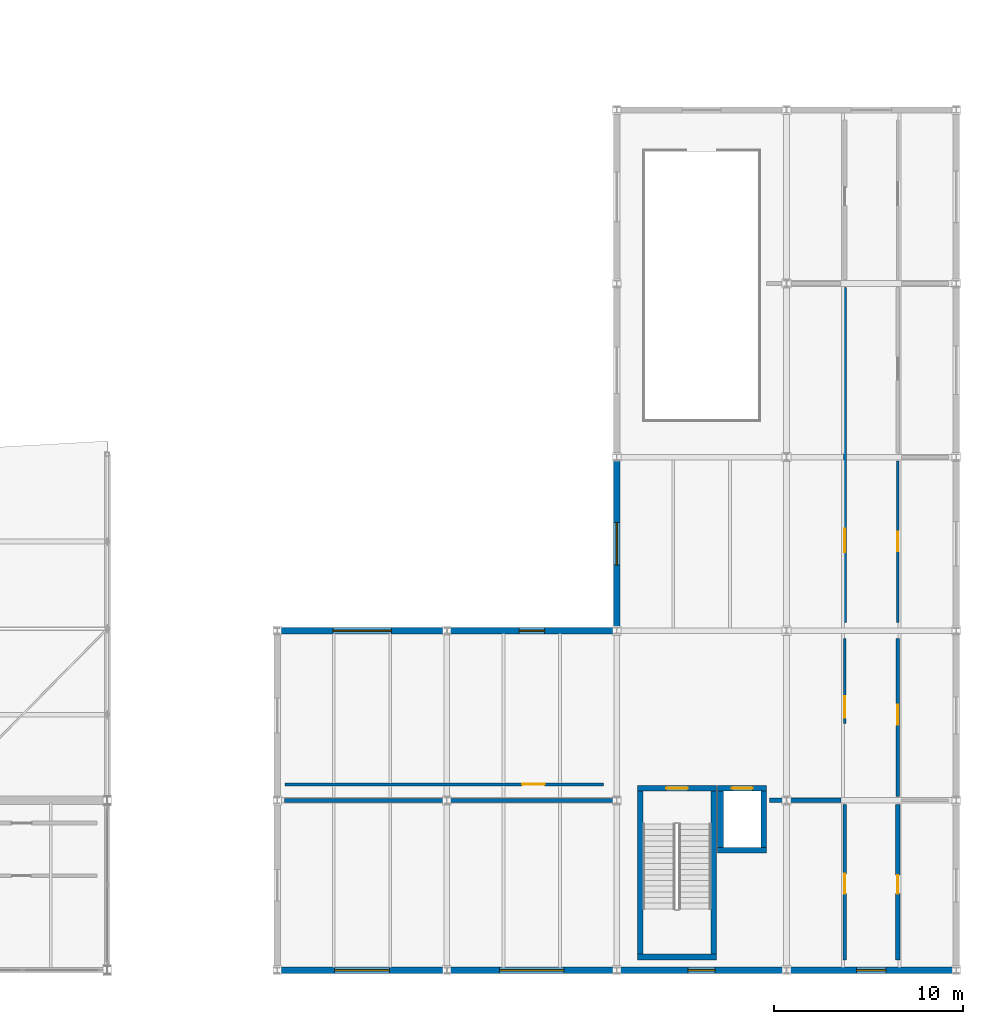
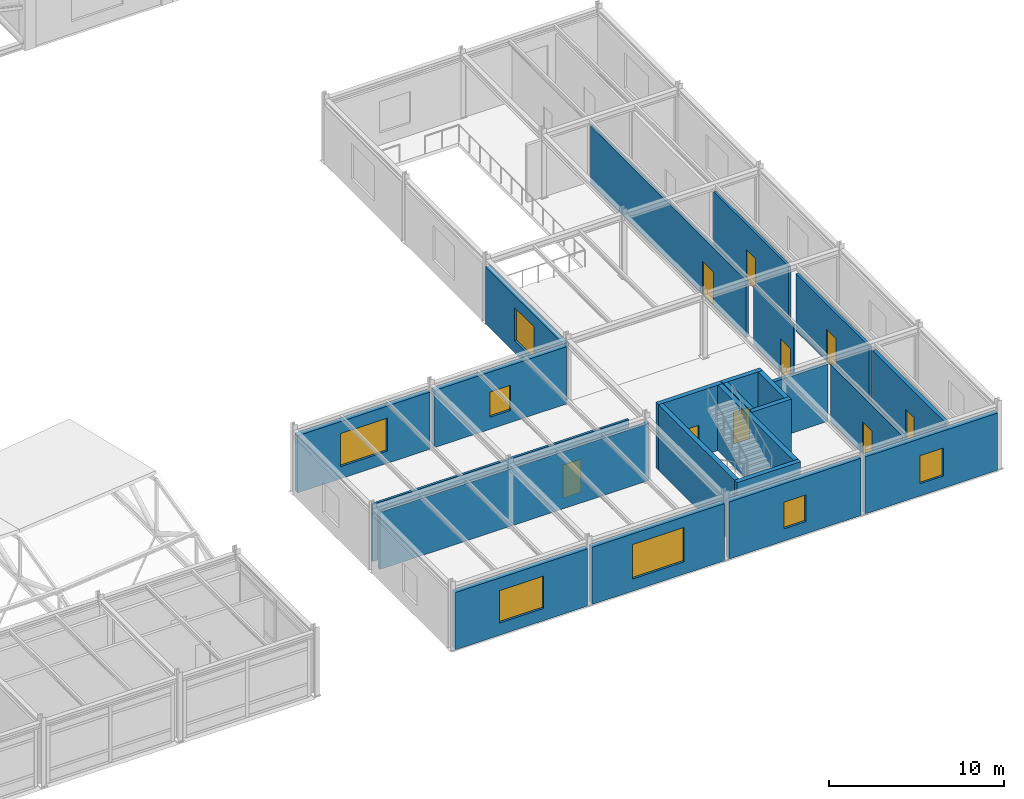
# One storey, part 75 of 90: 24 walls, 9 doors, 7 windows, 16 openings.
"""IFC4 building model written with IfcOpenShell, lengths in metres."""

from ifc_helpers import new_model, si_unit, direction, frame, frame_2d, origin, place, context, subcontext, project, spatial, rectangle, extrude, material, layer, layer_set, type_object, element, fill, save


model = new_model("IFC4")

# Units and contexts
model_context = context("Model", 3, precision=1e-05, world=origin(), true_north=direction((0.0, 1.0)))
body_context = subcontext(model_context, "Body", "Model", "MODEL_VIEW")
ifc_project = project(units=[si_unit("LENGTHUNIT", "METRE"), si_unit("AREAUNIT", "SQUARE_METRE"), si_unit("VOLUMEUNIT", "CUBIC_METRE"), si_unit("PLANEANGLEUNIT", "RADIAN"), si_unit("MASSUNIT", "GRAM", prefix="KILO")], contexts=[model_context])

# Site, building, storey
site_placement = place(None, origin())
site = spatial("IfcSite", under=ifc_project, at=site_placement, CompositionType="ELEMENT")
building_placement = place(site_placement, origin())
building = spatial("IfcBuilding", under=site, at=building_placement, Name="Bozkorgan Art Gallery", CompositionType="ELEMENT")
storey_placement = place(building_placement, frame((0.0, 0.0, 5.39990234375)))
storey = spatial("IfcBuildingStorey", under=building, at=storey_placement, Name="L01", CompositionType="ELEMENT", Elevation=5.39990234375)

# Wall, opening, door
ifc_material_1 = material(Name="Concrete C40/50", Category="concrete")
ifc_layer_1 = layer(ifc_material_1, 0.300048828125, Name="Concrete C40/50")
ifc_layer_set_1 = layer_set([ifc_layer_1], Name="Concrete C40/50")
wall_type_1 = type_object("IfcWallType", Name="IWALL-CW-44", PredefinedType="SHEAR", material=ifc_layer_set_1)
wall_1_placement = place(storey_placement, frame((147.10009765625, 11.64990234375, 0.0), z_axis=(0.0, 0.0, 1.0), x_axis=(1.0, 0.0, 0.0)))
wall_1 = element("IfcWall", 1, at=wall_1_placement, inside=storey, type_object=wall_type_1, Name="CORE4 L01 stair core north shear wall", PredefinedType="SHEAR", context=body_context, shape_type="SweptSolid", body=[
    extrude(rectangle(XDim=4.199951171875, YDim=0.300048828125, at=frame_2d((2.10009765625, 0.0))), origin(), (0.0, 0.0, 1.0), 4.56005859375),
])
opening_1_placement = place(wall_1_placement, frame((2.6748046875, 0.0, 0.0), z_axis=(0.0, 0.0, 1.0), x_axis=(-1.0, 0.0, 0.0)))
opening_1 = element("IfcOpeningElement", 2, at=opening_1_placement, cuts=wall_1, Name="Opening SD-41", PredefinedType="OPENING", context=body_context, shape_type="SweptSolid", body=[
    extrude(rectangle(XDim=1.14990234375, YDim=2.199951171875, at=frame_2d((0.574951171875, 1.10009765625))), frame((0.0, 0.16015625, 0.0), z_axis=(0.0, -1.0, 0.0), x_axis=(1.0, 0.0, 0.0)), (0.0, 0.0, 1.0), 0.320068359375),
])
ifc_material_2 = material(Name="Steel S355J2", Category="steel")
door_type_1 = type_object("IfcDoorType", Name="IDOOR-SD-41", OperationType="NOTDEFINED", PredefinedType="DOOR", material=ifc_material_2)
door_1_placement = place(opening_1_placement, origin())
door_1 = element("IfcDoor", 3, at=door_1_placement, inside=storey, type_object=door_type_1, Name="ST4 L01 Fire Stair Door", OperationType="SINGLE_SWING_RIGHT", OverallHeight=2.199951171875, OverallWidth=1.14990234375, PredefinedType="DOOR", context=body_context, shape_type="SweptSolid", body=[
    extrude(rectangle(XDim=1.14990234375, YDim=2.199951171875, at=frame_2d((0.574951171875, 1.10009765625))), frame((0.0, 0.02490234375, 0.0), z_axis=(0.0, -1.0, 0.0), x_axis=(1.0, 0.0, 0.0)), (0.0, 0.0, 1.0), 0.050048828125),
])
fill(opening_1, door_1)

# Walls
wall_2_placement = place(storey_placement, frame((147.10009765625, 2.699951171875, 0.0), z_axis=(0.0, 0.0, 1.0), x_axis=(1.0, 0.0, 0.0)))
element("IfcWall", 4, at=wall_2_placement, inside=storey, type_object=wall_type_1, Name="CORE4 L01 stair core S shear wall", PredefinedType="SHEAR", context=body_context, shape_type="SweptSolid", body=[
    extrude(rectangle(XDim=4.199951171875, YDim=0.300048828125, at=frame_2d((2.10009765625, 0.0))), origin(), (0.0, 0.0, 1.0), 4.56005859375),
])
for number, where, z_axis, x_axis, name in (
    (5, (147.25, 2.85009765625, 0.0), (0.0, 0.0, 1.0), (0.0, 1.0, 0.0), "CORE4 L01 stair core W shear wall"),
    (6, (151.14990234375, 2.85009765625, 0.0), (0.0, 0.0, 1.0), (0.0, 1.0, 0.0), "CORE4 L01 stair core E shear wall"),
):
    element("IfcWall", number, at=place(storey_placement, frame(where, z_axis=z_axis, x_axis=x_axis)), inside=storey, type_object=wall_type_1, Name=name, PredefinedType="SHEAR", context=body_context, shape_type="SweptSolid", body=[
        extrude(rectangle(XDim=8.64990234375, YDim=0.300048828125, at=frame_2d((4.324951171875, 0.0))), origin(), (0.0, 0.0, 1.0), 4.56005859375),
    ])

# Wall, opening, door
wall_3_placement = place(storey_placement, frame((151.35009765625, 11.64990234375, 0.0), z_axis=(0.0, 0.0, 1.0), x_axis=(1.0, 0.0, 0.0)))
wall_3 = element("IfcWall", 7, at=wall_3_placement, inside=storey, type_object=wall_type_1, Name="PL4 L01 shaft front shear wall", PredefinedType="SHEAR", context=body_context, shape_type="SweptSolid", body=[
    extrude(rectangle(XDim=2.599853515625, YDim=0.300048828125, at=frame_2d((1.2998046875, 0.0))), origin(), (0.0, 0.0, 1.0), 4.56005859375),
])
opening_2_placement = place(wall_3_placement, frame((0.75, 0.0, 0.0)))
opening_2 = element("IfcOpeningElement", 8, at=opening_2_placement, cuts=wall_3, Name="Opening LD-25", PredefinedType="OPENING", context=body_context, shape_type="SweptSolid", body=[
    extrude(rectangle(XDim=1.10009765625, YDim=2.199951171875, at=frame_2d((0.550048828125, 1.10009765625))), frame((0.0, 0.16015625, 0.0), z_axis=(0.0, -1.0, 0.0), x_axis=(1.0, 0.0, 0.0)), (0.0, 0.0, 1.0), 0.320068359375),
])
door_type_2 = type_object("IfcDoorType", Name="IDOOR-LD-25", OperationType="NOTDEFINED", PredefinedType="DOOR", material=ifc_material_2)
door_2_placement = place(opening_2_placement, origin())
door_2 = element("IfcDoor", 9, at=door_2_placement, inside=storey, type_object=door_type_2, Name="LD-PL4-L01 Lift Landing Door", OperationType="SLIDING_TO_LEFT", OverallHeight=2.199951171875, OverallWidth=1.10009765625, PredefinedType="DOOR", context=body_context, shape_type="SweptSolid", body=[
    extrude(rectangle(XDim=1.10009765625, YDim=2.199951171875, at=frame_2d((0.550048828125, 1.10009765625))), frame((0.0, 0.02490234375, 0.0), z_axis=(0.0, -1.0, 0.0), x_axis=(1.0, 0.0, 0.0)), (0.0, 0.0, 1.0), 0.050048828125),
])
fill(opening_2, door_2)

# Walls
wall_4_placement = place(storey_placement, frame((151.35009765625, 8.35009765625, 0.0), z_axis=(0.0, 0.0, 1.0), x_axis=(1.0, 0.0, 0.0)))
element("IfcWall", 10, at=wall_4_placement, inside=storey, type_object=wall_type_1, Name="PL4 L01 shaft S shear wall", PredefinedType="SHEAR", context=body_context, shape_type="SweptSolid", body=[
    extrude(rectangle(XDim=2.599853515625, YDim=0.300048828125, at=frame_2d((1.2998046875, 0.0))), origin(), (0.0, 0.0, 1.0), 4.56005859375),
])
for number, where, z_axis, x_axis, name in (
    (11, (153.800048828125, 8.5, 0.0), (0.0, 0.0, 1.0), (0.0, 1.0, 0.0), "PL4 L01 shaft E shear wall"),
    (12, (151.5, 8.5, 0.0), (0.0, 0.0, 1.0), (0.0, 1.0, 0.0), "PL4 L01 shaft W shear wall"),
):
    element("IfcWall", number, at=place(storey_placement, frame(where, z_axis=z_axis, x_axis=x_axis)), inside=storey, type_object=wall_type_1, Name=name, PredefinedType="SHEAR", context=body_context, shape_type="SweptSolid", body=[
        extrude(rectangle(XDim=3.0, YDim=0.300048828125, at=frame_2d((1.5, 0.0))), origin(), (0.0, 0.0, 1.0), 4.56005859375),
    ])

# Wall, opening, door
ifc_material_3 = material(Name="Acoustic Gypsum & Mineral Wool Partition")
ifc_layer_2 = layer(ifc_material_3, 0.22998046875, Name="Acoustic Gypsum & Mineral Wool Partition")
ifc_layer_set_2 = layer_set([ifc_layer_2], Name="Acoustic Gypsum & Mineral Wool Partition")
wall_type_2 = type_object("IfcWallType", Name="IWALL-PR-08", PredefinedType="PARTITIONING", material=ifc_layer_set_2)
wall_5_placement = place(storey_placement, frame((160.89990234375, 2.5400390625, 0.0), z_axis=(0.0, 0.0, 1.0), x_axis=(0.0, 1.0, 0.0)))
wall_5 = element("IfcWall", 13, at=wall_5_placement, inside=storey, type_object=wall_type_2, Name="V6 L01 acoustic partition wall 371", PredefinedType="PARTITIONING", context=body_context, shape_type="SweptSolid", body=[
    extrude(rectangle(XDim=8.239990234375, YDim=0.22998046875, at=frame_2d((4.1201171875, 0.0))), origin(), (0.0, 0.0, 1.0), 3.985107421875),
])
opening_3_placement = place(wall_5_placement, frame((3.519287109375, 0.0, 0.0)))
opening_3 = element("IfcOpeningElement", 14, at=opening_3_placement, cuts=wall_5, Name="Opening FD-75", PredefinedType="OPENING", context=body_context, shape_type="SweptSolid", body=[
    extrude(rectangle(XDim=0.97998046875, YDim=2.179931640625, at=frame_2d((0.489990234375, 1.08984375))), frame((0.0, 0.125, 0.0), z_axis=(0.0, -1.0, 0.0), x_axis=(1.0, 0.0, 0.0)), (0.0, 0.0, 1.0), 0.25),
])
ifc_material_4 = material(Name="Oiled European Oak Joinery")
door_type_3 = type_object("IfcDoorType", Name="IDOOR-FD-75", OperationType="NOTDEFINED", PredefinedType="DOOR", material=ifc_material_4)
door_3_placement = place(opening_3_placement, origin())
door_3 = element("IfcDoor", 15, at=door_3_placement, inside=storey, type_object=door_type_3, Name="Collection Archive Room Door", OperationType="SINGLE_SWING_LEFT", OverallHeight=2.179931640625, OverallWidth=0.97998046875, PredefinedType="DOOR", context=body_context, shape_type="SweptSolid", body=[
    extrude(rectangle(XDim=0.97998046875, YDim=2.179931640625, at=frame_2d((0.489990234375, 1.08984375))), frame((0.0, 0.02490234375, 0.0), z_axis=(0.0, -1.0, 0.0), x_axis=(1.0, 0.0, 0.0)), (0.0, 0.0, 1.0), 0.050048828125),
])
fill(opening_3, door_3)

ifc_layer_3 = layer(ifc_material_3, 0.169921875, Name="Acoustic Gypsum & Mineral Wool Partition")
ifc_layer_set_3 = layer_set([ifc_layer_3], Name="Acoustic Gypsum & Mineral Wool Partition")
wall_type_3 = type_object("IfcWallType", Name="IWALL-PR-40", PredefinedType="PARTITIONING", material=ifc_layer_set_3)
wall_6_placement = place(storey_placement, frame((158.10009765625, 20.419921875, 0.0), z_axis=(0.0, 0.0, 1.0), x_axis=(0.0, 1.0, 0.0)))
wall_6 = element("IfcWall", 16, at=wall_6_placement, inside=storey, type_object=wall_type_3, Name="V6 L01 acoustic partition wall 368", PredefinedType="PARTITIONING", context=body_context, shape_type="SweptSolid", body=[
    extrude(rectangle(XDim=17.760009765625, YDim=0.169921875, at=frame_2d((8.8798828125, 0.0))), origin(), (0.0, 0.0, 1.0), 3.985107421875),
])
opening_4_placement = place(wall_6_placement, frame((4.973876953125, 0.0, 0.0), z_axis=(0.0, 0.0, 1.0), x_axis=(-1.0, 0.0, 0.0)))
opening_4 = element("IfcOpeningElement", 17, at=opening_4_placement, cuts=wall_6, Name="Opening FD-40", PredefinedType="OPENING", context=body_context, shape_type="SweptSolid", body=[
    extrude(rectangle(XDim=1.239990234375, YDim=2.320068359375, at=frame_2d((0.6201171875, 1.16015625))), frame((0.0, 0.094970703125, 0.0), z_axis=(0.0, -1.0, 0.0), x_axis=(1.0, 0.0, 0.0)), (0.0, 0.0, 1.0), 0.18994140625),
])
door_type_4 = type_object("IfcDoorType", Name="IDOOR-FD-40", OperationType="NOTDEFINED", PredefinedType="DOOR", material=ifc_material_4)
door_4_placement = place(opening_4_placement, origin())
door_4 = element("IfcDoor", 18, at=door_4_placement, inside=storey, type_object=door_type_4, Name="Art Reference Reading Room Door", OperationType="SINGLE_SWING_LEFT", OverallHeight=2.320068359375, OverallWidth=1.239990234375, PredefinedType="DOOR", context=body_context, shape_type="SweptSolid", body=[
    extrude(rectangle(XDim=1.239990234375, YDim=2.320068359375, at=frame_2d((0.6201171875, 1.16015625))), frame((0.0, 0.02490234375, 0.0), z_axis=(0.0, -1.0, 0.0), x_axis=(1.0, 0.0, 0.0)), (0.0, 0.0, 1.0), 0.050048828125),
])
fill(opening_4, door_4)

wall_7_placement = place(storey_placement, frame((160.89990234375, 11.219970703125, 0.0), z_axis=(0.0, 0.0, 1.0), x_axis=(0.0, 1.0, 0.0)))
wall_7 = element("IfcWall", 19, at=wall_7_placement, inside=storey, type_object=wall_type_3, Name="V6 L01 acoustic partition wall 374", PredefinedType="PARTITIONING", context=body_context, shape_type="SweptSolid", body=[
    extrude(rectangle(XDim=8.360107421875, YDim=0.169921875, at=frame_2d((4.18017578125, 0.0))), origin(), (0.0, 0.0, 1.0), 3.985107421875),
])
opening_5_placement = place(wall_7_placement, frame((3.782470703125, 0.0, 0.0)))
opening_5 = element("IfcOpeningElement", 20, at=opening_5_placement, cuts=wall_7, Name="Opening FD-44", PredefinedType="OPENING", context=body_context, shape_type="SweptSolid", body=[
    extrude(rectangle(XDim=1.080078125, YDim=2.239990234375, at=frame_2d((0.5400390625, 1.1201171875))), frame((0.0, 0.094970703125, 0.0), z_axis=(0.0, -1.0, 0.0), x_axis=(1.0, 0.0, 0.0)), (0.0, 0.0, 1.0), 0.18994140625),
])
door_type_5 = type_object("IfcDoorType", Name="IDOOR-FD-44", OperationType="NOTDEFINED", PredefinedType="DOOR", material=ifc_material_4)
door_5_placement = place(opening_5_placement, origin())
door_5 = element("IfcDoor", 21, at=door_5_placement, inside=storey, type_object=door_type_5, Name="Lithography Press Workshop Door", OperationType="SINGLE_SWING_LEFT", OverallHeight=2.239990234375, OverallWidth=1.080078125, PredefinedType="DOOR", context=body_context, shape_type="SweptSolid", body=[
    extrude(rectangle(XDim=1.080078125, YDim=2.239990234375, at=frame_2d((0.5400390625, 1.1201171875))), frame((0.0, 0.02490234375, 0.0), z_axis=(0.0, -1.0, 0.0), x_axis=(1.0, 0.0, 0.0)), (0.0, 0.0, 1.0), 0.050048828125),
])
fill(opening_5, door_5)

ifc_layer_4 = layer(ifc_material_3, 0.14990234375, Name="Acoustic Gypsum & Mineral Wool Partition")
ifc_layer_set_4 = layer_set([ifc_layer_4], Name="Acoustic Gypsum & Mineral Wool Partition")
wall_type_4 = type_object("IfcWallType", Name="IWALL-PR-55", PredefinedType="PARTITIONING", material=ifc_layer_set_4)
wall_8_placement = place(storey_placement, frame((128.419921875, 11.85009765625, 0.0), z_axis=(0.0, 0.0, 1.0), x_axis=(1.0, 0.0, 0.0)))
wall_8 = element("IfcWall", 22, at=wall_8_placement, inside=storey, type_object=wall_type_4, Name="V6 L01 acoustic partition wall 367", PredefinedType="PARTITIONING", context=body_context, shape_type="SweptSolid", body=[
    extrude(rectangle(XDim=16.880126953125, YDim=0.14990234375, at=frame_2d((8.43994140625, 0.0))), origin(), (0.0, 0.0, 1.0), 3.985107421875),
])
opening_6_placement = place(wall_8_placement, frame((12.564208984375, 0.0, 0.0)))
opening_6 = element("IfcOpeningElement", 23, at=opening_6_placement, cuts=wall_8, Name="Opening FD-05", PredefinedType="OPENING", context=body_context, shape_type="SweptSolid", body=[
    extrude(rectangle(XDim=1.199951171875, YDim=2.300048828125, at=frame_2d((0.60009765625, 1.14990234375))), frame((0.0, 0.0849609375, 0.0), z_axis=(0.0, -1.0, 0.0), x_axis=(1.0, 0.0, 0.0)), (0.0, 0.0, 1.0), 0.169921875),
])
door_type_6 = type_object("IfcDoorType", Name="IDOOR-FD-05", OperationType="NOTDEFINED", PredefinedType="DOOR", material=ifc_material_4)
door_6_placement = place(opening_6_placement, origin())
door_6 = element("IfcDoor", 24, at=door_6_placement, inside=storey, type_object=door_type_6, Name="Digital Media Classroom Door", OperationType="SINGLE_SWING_RIGHT", OverallHeight=2.300048828125, OverallWidth=1.199951171875, PredefinedType="DOOR", context=body_context, shape_type="SweptSolid", body=[
    extrude(rectangle(XDim=1.199951171875, YDim=2.300048828125, at=frame_2d((0.60009765625, 1.14990234375))), frame((0.0, 0.02490234375, 0.0), z_axis=(0.0, -1.0, 0.0), x_axis=(1.0, 0.0, 0.0)), (0.0, 0.0, 1.0), 0.050048828125),
])
fill(opening_6, door_6)

wall_9_placement = place(storey_placement, frame((160.89990234375, 20.419921875, 0.0), z_axis=(0.0, 0.0, 1.0), x_axis=(0.0, 1.0, 0.0)))
wall_9 = element("IfcWall", 25, at=wall_9_placement, inside=storey, type_object=wall_type_4, Name="V6 L01 acoustic partition wall 373", PredefinedType="PARTITIONING", context=body_context, shape_type="SweptSolid", body=[
    extrude(rectangle(XDim=8.56005859375, YDim=0.14990234375, at=frame_2d((4.280029296875, 0.0))), origin(), (0.0, 0.0, 1.0), 3.985107421875),
])
opening_7_placement = place(wall_9_placement, frame((3.780029296875, 0.0, 0.0)))
opening_7 = element("IfcOpeningElement", 26, at=opening_7_placement, cuts=wall_9, Name="Opening FD-96", PredefinedType="OPENING", context=body_context, shape_type="SweptSolid", body=[
    extrude(rectangle(XDim=1.0400390625, YDim=2.219970703125, at=frame_2d((0.52001953125, 1.10986328125))), frame((0.0, 0.0849609375, 0.0), z_axis=(0.0, -1.0, 0.0), x_axis=(1.0, 0.0, 0.0)), (0.0, 0.0, 1.0), 0.169921875),
])
door_type_7 = type_object("IfcDoorType", Name="IDOOR-FD-96", OperationType="NOTDEFINED", PredefinedType="DOOR", material=ifc_material_4)
door_7_placement = place(opening_7_placement, origin())
door_7 = element("IfcDoor", 27, at=door_7_placement, inside=storey, type_object=door_type_7, Name="Printmaking Studio Door", OperationType="SINGLE_SWING_RIGHT", OverallHeight=2.219970703125, OverallWidth=1.0400390625, PredefinedType="DOOR", context=body_context, shape_type="SweptSolid", body=[
    extrude(rectangle(XDim=1.0400390625, YDim=2.219970703125, at=frame_2d((0.52001953125, 1.10986328125))), frame((0.0, 0.02490234375, 0.0), z_axis=(0.0, -1.0, 0.0), x_axis=(1.0, 0.0, 0.0)), (0.0, 0.0, 1.0), 0.050048828125),
])
fill(opening_7, door_7)

ifc_layer_5 = layer(ifc_material_3, 0.18994140625, Name="Acoustic Gypsum & Mineral Wool Partition")
ifc_layer_set_5 = layer_set([ifc_layer_5], Name="Acoustic Gypsum & Mineral Wool Partition")
wall_type_5 = type_object("IfcWallType", Name="IWALL-PR-66", PredefinedType="PARTITIONING", material=ifc_layer_set_5)
wall_10_placement = place(storey_placement, frame((158.10009765625, 2.5400390625, 0.0), z_axis=(0.0, 0.0, 1.0), x_axis=(0.0, 1.0, 0.0)))
wall_10 = element("IfcWall", 28, at=wall_10_placement, inside=storey, type_object=wall_type_5, Name="V6 L01 acoustic partition wall 363", PredefinedType="PARTITIONING", context=body_context, shape_type="SweptSolid", body=[
    extrude(rectangle(XDim=8.239990234375, YDim=0.18994140625, at=frame_2d((4.1201171875, 0.0))), origin(), (0.0, 0.0, 1.0), 3.985107421875),
])
opening_8_placement = place(wall_10_placement, frame((4.559326171875, 0.0, 0.0), z_axis=(0.0, 0.0, 1.0), x_axis=(-1.0, 0.0, 0.0)))
opening_8 = element("IfcOpeningElement", 29, at=opening_8_placement, cuts=wall_10, Name="Opening FD-96", PredefinedType="OPENING", context=body_context, shape_type="SweptSolid", body=[
    extrude(rectangle(XDim=1.0400390625, YDim=2.219970703125, at=frame_2d((0.52001953125, 1.10986328125))), frame((0.0, 0.10498046875, 0.0), z_axis=(0.0, -1.0, 0.0), x_axis=(1.0, 0.0, 0.0)), (0.0, 0.0, 1.0), 0.2099609375),
])
door_8_placement = place(opening_8_placement, origin())
door_8 = element("IfcDoor", 30, at=door_8_placement, inside=storey, type_object=door_type_7, Name="Printmaking Studio Door", OperationType="SINGLE_SWING_RIGHT", OverallHeight=2.219970703125, OverallWidth=1.0400390625, PredefinedType="DOOR", context=body_context, shape_type="SweptSolid", body=[
    extrude(rectangle(XDim=1.0400390625, YDim=2.219970703125, at=frame_2d((0.52001953125, 1.10986328125))), frame((0.0, 0.02490234375, 0.0), z_axis=(0.0, -1.0, 0.0), x_axis=(1.0, 0.0, 0.0)), (0.0, 0.0, 1.0), 0.050048828125),
])
fill(opening_8, door_8)

ifc_layer_6 = layer(ifc_material_3, 0.1298828125, Name="Acoustic Gypsum & Mineral Wool Partition")
ifc_layer_set_6 = layer_set([ifc_layer_6], Name="Acoustic Gypsum & Mineral Wool Partition")
wall_type_6 = type_object("IfcWallType", Name="IWALL-PR-76", PredefinedType="PARTITIONING", material=ifc_layer_set_6)
wall_11_placement = place(storey_placement, frame((158.10009765625, 15.070068359375, 0.0), z_axis=(0.0, 0.0, 1.0), x_axis=(0.0, 1.0, 0.0)))
wall_11 = element("IfcWall", 31, at=wall_11_placement, inside=storey, type_object=wall_type_6, Name="V6 L01 acoustic partition wall 366", PredefinedType="PARTITIONING", context=body_context, shape_type="SweptSolid", body=[
    extrude(rectangle(XDim=4.510009765625, YDim=0.1298828125, at=frame_2d((2.2548828125, 0.0))), origin(), (0.0, 0.0, 1.0), 4.125),
])
opening_9_placement = place(wall_11_placement, frame((1.4599609375, 0.0, 0.0), z_axis=(0.0, 0.0, 1.0), x_axis=(-1.0, 0.0, 0.0)))
opening_9 = element("IfcOpeningElement", 32, at=opening_9_placement, cuts=wall_11, Name="Opening FD-03", PredefinedType="OPENING", context=body_context, shape_type="SweptSolid", body=[
    extrude(rectangle(XDim=1.159912109375, YDim=2.280029296875, at=frame_2d((0.580078125, 1.14013671875))), frame((0.0, 0.074951171875, 0.0), z_axis=(0.0, -1.0, 0.0), x_axis=(1.0, 0.0, 0.0)), (0.0, 0.0, 1.0), 0.14990234375),
])
door_type_8 = type_object("IfcDoorType", Name="IDOOR-FD-03", OperationType="NOTDEFINED", PredefinedType="DOOR", material=ifc_material_4)
door_9_placement = place(opening_9_placement, origin())
door_9 = element("IfcDoor", 33, at=door_9_placement, inside=storey, type_object=door_type_8, Name="Lithography Press Workshop Door", OperationType="SINGLE_SWING_LEFT", OverallHeight=2.280029296875, OverallWidth=1.159912109375, PredefinedType="DOOR", context=body_context, shape_type="SweptSolid", body=[
    extrude(rectangle(XDim=1.159912109375, YDim=2.280029296875, at=frame_2d((0.580078125, 1.14013671875))), frame((0.0, 0.02490234375, 0.0), z_axis=(0.0, -1.0, 0.0), x_axis=(1.0, 0.0, 0.0)), (0.0, 0.0, 1.0), 0.050048828125),
])
fill(opening_9, door_9)

# Walls
ifc_layer_7 = layer(ifc_material_3, 0.2099609375, Name="Acoustic Gypsum & Mineral Wool Partition")
ifc_layer_set_7 = layer_set([ifc_layer_7], Name="Acoustic Gypsum & Mineral Wool Partition")
wall_type_7 = type_object("IfcWallType", Name="IWALL-PW-72", PredefinedType="PARTITIONING", material=ifc_layer_set_7)
wall_12_placement = place(storey_placement, frame((128.39990234375, 11.0, 0.0), z_axis=(0.0, 0.0, 1.0), x_axis=(1.0, 0.0, 0.0)))
element("IfcWall", 34, at=wall_12_placement, inside=storey, type_object=wall_type_7, Name="V6 L01 acoustic partition wall 364", PredefinedType="PARTITIONING", context=body_context, shape_type="SweptSolid", body=[
    extrude(rectangle(XDim=17.72021484375, YDim=0.2099609375, at=frame_2d((8.860107421875, 0.0))), origin(), (0.0, 0.0, 1.0), 3.985107421875),
])
ifc_layer_8 = layer(ifc_material_3, 0.22998046875, Name="Acoustic Gypsum & Mineral Wool Partition")
ifc_layer_set_8 = layer_set([ifc_layer_8], Name="Acoustic Gypsum & Mineral Wool Partition")
wall_type_8 = type_object("IfcWallType", Name="IWALL-PW-96", PredefinedType="PARTITIONING", material=ifc_layer_set_8)
wall_13_placement = place(storey_placement, frame((154.110107421875, 11.0, 0.0), z_axis=(0.0, 0.0, 1.0), x_axis=(1.0, 0.0, 0.0)))
element("IfcWall", 35, at=wall_13_placement, inside=storey, type_object=wall_type_8, Name="V6 L01 acoustic partition wall 365", PredefinedType="PARTITIONING", context=body_context, shape_type="SweptSolid", body=[
    extrude(rectangle(XDim=3.789794921875, YDim=0.22998046875, at=frame_2d((1.89501953125, 0.0))), origin(), (0.0, 0.0, 1.0), 3.985107421875),
])

# Wall, opening, window
ifc_material_5 = material(Name="Pressed Terracotta Brick Masonry", Category="masonry")
ifc_layer_9 = layer(ifc_material_5, 0.340087890625, Name="Pressed Terracotta Brick Masonry")
ifc_layer_set_9 = layer_set([ifc_layer_9], Name="Pressed Terracotta Brick Masonry")
wall_type_9 = type_object("IfcWallType", Name="WALL-WB-71", PredefinedType="STANDARD", material=ifc_layer_set_9)
wall_14_placement = place(storey_placement, frame((128.14990234375, 2.0, 0.0), z_axis=(0.0, 0.0, 1.0), x_axis=(1.0, 0.0, 0.0)))
wall_14 = element("IfcWall", 36, at=wall_14_placement, inside=storey, type_object=wall_type_9, Name="V6 L01 exterior facade wall 1S-1", PredefinedType="STANDARD", context=body_context, shape_type="SweptSolid", body=[
    extrude(rectangle(XDim=8.7001953125, YDim=0.340087890625, at=frame_2d((4.35009765625, 0.0))), origin(), (0.0, 0.0, 1.0), 3.985107421875),
])
opening_10_placement = place(wall_14_placement, frame((5.7998046875, 0.0, 0.85009765625), z_axis=(0.0, 0.0, 1.0), x_axis=(-1.0, 0.0, 0.0)))
opening_10 = element("IfcOpeningElement", 37, at=opening_10_placement, cuts=wall_14, Name="Opening WN-54", PredefinedType="OPENING", context=body_context, shape_type="SweptSolid", body=[
    extrude(rectangle(XDim=2.89990234375, YDim=2.25, at=frame_2d((1.449951171875, 1.125))), frame((0.0, 0.18017578125, 0.0), z_axis=(0.0, -1.0, 0.0), x_axis=(1.0, 0.0, 0.0)), (0.0, 0.0, 1.0), 0.360107421875),
])
ifc_material_6 = material(Name="Triple Low-E Laminated Glass", Category="glass")
window_type_1 = type_object("IfcWindowType", Name="WIN-WN-54", PartitioningType="SINGLE_PANEL", PredefinedType="WINDOW", material=ifc_material_6)
window_1_placement = place(opening_10_placement, origin())
window_1 = element("IfcWindow", 38, at=window_1_placement, inside=storey, type_object=window_type_1, Name="V6 L01 gallery window 1S-1", OverallHeight=2.25, OverallWidth=2.89990234375, PartitioningType="SINGLE_PANEL", PredefinedType="WINDOW", context=body_context, shape_type="SweptSolid", body=[
    extrude(rectangle(XDim=2.89990234375, YDim=2.25, at=frame_2d((1.449951171875, 1.125))), frame((0.0, 0.030029296875, 0.0), z_axis=(0.0, -1.0, 0.0), x_axis=(1.0, 0.0, 0.0)), (0.0, 0.0, 1.0), 0.06005859375),
])
fill(opening_10, window_1)

wall_15_placement = place(storey_placement, frame((128.14990234375, 20.0, 0.0), z_axis=(0.0, 0.0, 1.0), x_axis=(1.0, 0.0, 0.0)))
wall_15 = element("IfcWall", 39, at=wall_15_placement, inside=storey, type_object=wall_type_9, Name="V6 L01 exterior facade wall 1N-2", PredefinedType="STANDARD", context=body_context, shape_type="SweptSolid", body=[
    extrude(rectangle(XDim=8.7001953125, YDim=0.340087890625, at=frame_2d((4.35009765625, 0.0))), origin(), (0.0, 0.0, 1.0), 3.985107421875),
])
opening_11_placement = place(wall_15_placement, frame((2.800048828125, 0.0, 0.85009765625)))
opening_11 = element("IfcOpeningElement", 40, at=opening_11_placement, cuts=wall_15, Name="Opening WN-71", PredefinedType="OPENING", context=body_context, shape_type="SweptSolid", body=[
    extrude(rectangle(XDim=3.10009765625, YDim=2.300048828125, at=frame_2d((1.550048828125, 1.14990234375))), frame((0.0, 0.18017578125, 0.0), z_axis=(0.0, -1.0, 0.0), x_axis=(1.0, 0.0, 0.0)), (0.0, 0.0, 1.0), 0.360107421875),
])
window_type_2 = type_object("IfcWindowType", Name="WIN-WN-71", PartitioningType="SINGLE_PANEL", PredefinedType="WINDOW", material=ifc_material_6)
window_2_placement = place(opening_11_placement, origin())
window_2 = element("IfcWindow", 41, at=window_2_placement, inside=storey, type_object=window_type_2, Name="V6 L01 gallery window 1N-2", OverallHeight=2.300048828125, OverallWidth=3.10009765625, PartitioningType="SINGLE_PANEL", PredefinedType="WINDOW", context=body_context, shape_type="SweptSolid", body=[
    extrude(rectangle(XDim=3.10009765625, YDim=2.300048828125, at=frame_2d((1.550048828125, 1.14990234375))), frame((0.0, 0.030029296875, 0.0), z_axis=(0.0, -1.0, 0.0), x_axis=(1.0, 0.0, 0.0)), (0.0, 0.0, 1.0), 0.06005859375),
])
fill(opening_11, window_2)

wall_16_placement = place(storey_placement, frame((137.14990234375, 2.0, 0.0), z_axis=(0.0, 0.0, 1.0), x_axis=(1.0, 0.0, 0.0)))
wall_16 = element("IfcWall", 42, at=wall_16_placement, inside=storey, type_object=wall_type_9, Name="V6 L01 exterior facade wall 1S-3", PredefinedType="STANDARD", context=body_context, shape_type="SweptSolid", body=[
    extrude(rectangle(XDim=8.7001953125, YDim=0.340087890625, at=frame_2d((4.35009765625, 0.0))), origin(), (0.0, 0.0, 1.0), 3.985107421875),
])
opening_12_placement = place(wall_16_placement, frame((6.0498046875, 0.0, 0.85009765625), z_axis=(0.0, 0.0, 1.0), x_axis=(-1.0, 0.0, 0.0)))
opening_12 = element("IfcOpeningElement", 43, at=opening_12_placement, cuts=wall_16, Name="Opening WN-90", PredefinedType="OPENING", context=body_context, shape_type="SweptSolid", body=[
    extrude(rectangle(XDim=3.39990234375, YDim=2.39990234375, at=frame_2d((1.699951171875, 1.199951171875))), frame((0.0, 0.18017578125, 0.0), z_axis=(0.0, -1.0, 0.0), x_axis=(1.0, 0.0, 0.0)), (0.0, 0.0, 1.0), 0.360107421875),
])
window_type_3 = type_object("IfcWindowType", Name="WIN-WN-90", PartitioningType="SINGLE_PANEL", PredefinedType="WINDOW", material=ifc_material_6)
window_3_placement = place(opening_12_placement, origin())
window_3 = element("IfcWindow", 44, at=window_3_placement, inside=storey, type_object=window_type_3, Name="V6 L01 gallery window 1S-3", OverallHeight=2.39990234375, OverallWidth=3.39990234375, PartitioningType="SINGLE_PANEL", PredefinedType="WINDOW", context=body_context, shape_type="SweptSolid", body=[
    extrude(rectangle(XDim=3.39990234375, YDim=2.39990234375, at=frame_2d((1.699951171875, 1.199951171875))), frame((0.0, 0.030029296875, 0.0), z_axis=(0.0, -1.0, 0.0), x_axis=(1.0, 0.0, 0.0)), (0.0, 0.0, 1.0), 0.06005859375),
])
fill(opening_12, window_3)

wall_17_placement = place(storey_placement, frame((137.14990234375, 20.0, 0.0), z_axis=(0.0, 0.0, 1.0), x_axis=(1.0, 0.0, 0.0)))
wall_17 = element("IfcWall", 45, at=wall_17_placement, inside=storey, type_object=wall_type_9, Name="V6 L01 exterior facade wall 1N-4", PredefinedType="STANDARD", context=body_context, shape_type="SweptSolid", body=[
    extrude(rectangle(XDim=8.7001953125, YDim=0.340087890625, at=frame_2d((4.35009765625, 0.0))), origin(), (0.0, 0.0, 1.0), 3.985107421875),
])
opening_13_placement = place(wall_17_placement, frame((3.675048828125, 0.0, 0.85009765625)))
opening_13 = element("IfcOpeningElement", 46, at=opening_13_placement, cuts=wall_17, Name="Opening WN-63", PredefinedType="OPENING", context=body_context, shape_type="SweptSolid", body=[
    extrude(rectangle(XDim=1.35009765625, YDim=1.75, at=frame_2d((0.675048828125, 0.875))), frame((0.0, 0.18017578125, 0.0), z_axis=(0.0, -1.0, 0.0), x_axis=(1.0, 0.0, 0.0)), (0.0, 0.0, 1.0), 0.360107421875),
])
window_type_4 = type_object("IfcWindowType", Name="WIN-WN-63", PartitioningType="SINGLE_PANEL", PredefinedType="WINDOW", material=ifc_material_6)
window_4_placement = place(opening_13_placement, origin())
window_4 = element("IfcWindow", 47, at=window_4_placement, inside=storey, type_object=window_type_4, Name="V6 L01 gallery window 1N-4", OverallHeight=1.75, OverallWidth=1.35009765625, PartitioningType="SINGLE_PANEL", PredefinedType="WINDOW", context=body_context, shape_type="SweptSolid", body=[
    extrude(rectangle(XDim=1.35009765625, YDim=1.75, at=frame_2d((0.675048828125, 0.875))), frame((0.0, 0.030029296875, 0.0), z_axis=(0.0, -1.0, 0.0), x_axis=(1.0, 0.0, 0.0)), (0.0, 0.0, 1.0), 0.06005859375),
])
fill(opening_13, window_4)

wall_18_placement = place(storey_placement, frame((146.14990234375, 2.0, 0.0), z_axis=(0.0, 0.0, 1.0), x_axis=(1.0, 0.0, 0.0)))
wall_18 = element("IfcWall", 48, at=wall_18_placement, inside=storey, type_object=wall_type_9, Name="V6 L01 exterior facade wall 1S-5", PredefinedType="STANDARD", context=body_context, shape_type="SweptSolid", body=[
    extrude(rectangle(XDim=8.7001953125, YDim=0.340087890625, at=frame_2d((4.35009765625, 0.0))), origin(), (0.0, 0.0, 1.0), 3.985107421875),
])
opening_14_placement = place(wall_18_placement, frame((5.074951171875, 0.0, 0.85009765625), z_axis=(0.0, 0.0, 1.0), x_axis=(-1.0, 0.0, 0.0)))
opening_14 = element("IfcOpeningElement", 49, at=opening_14_placement, cuts=wall_18, Name="Opening WN-34", PredefinedType="OPENING", context=body_context, shape_type="SweptSolid", body=[
    extrude(rectangle(XDim=1.449951171875, YDim=1.85009765625, at=frame_2d((0.72509765625, 0.925048828125))), frame((0.0, 0.18017578125, 0.0), z_axis=(0.0, -1.0, 0.0), x_axis=(1.0, 0.0, 0.0)), (0.0, 0.0, 1.0), 0.360107421875),
])
window_type_5 = type_object("IfcWindowType", Name="WIN-WN-34", PartitioningType="SINGLE_PANEL", PredefinedType="WINDOW", material=ifc_material_6)
window_5_placement = place(opening_14_placement, origin())
window_5 = element("IfcWindow", 50, at=window_5_placement, inside=storey, type_object=window_type_5, Name="V6 L01 gallery window 1S-5", OverallHeight=1.85009765625, OverallWidth=1.449951171875, PartitioningType="SINGLE_PANEL", PredefinedType="WINDOW", context=body_context, shape_type="SweptSolid", body=[
    extrude(rectangle(XDim=1.449951171875, YDim=1.85009765625, at=frame_2d((0.72509765625, 0.925048828125))), frame((0.0, 0.030029296875, 0.0), z_axis=(0.0, -1.0, 0.0), x_axis=(1.0, 0.0, 0.0)), (0.0, 0.0, 1.0), 0.06005859375),
])
fill(opening_14, window_5)

wall_19_placement = place(storey_placement, frame((155.14990234375, 2.0, 0.0), z_axis=(0.0, 0.0, 1.0), x_axis=(1.0, 0.0, 0.0)))
wall_19 = element("IfcWall", 51, at=wall_19_placement, inside=storey, type_object=wall_type_9, Name="V6 L01 exterior facade wall 1S-6", PredefinedType="STANDARD", context=body_context, shape_type="SweptSolid", body=[
    extrude(rectangle(XDim=8.7001953125, YDim=0.340087890625, at=frame_2d((4.35009765625, 0.0))), origin(), (0.0, 0.0, 1.0), 3.985107421875),
])
opening_15_placement = place(wall_19_placement, frame((5.125, 0.0, 0.85009765625), z_axis=(0.0, 0.0, 1.0), x_axis=(-1.0, 0.0, 0.0)))
opening_15 = element("IfcOpeningElement", 52, at=opening_15_placement, cuts=wall_19, Name="Opening WN-44", PredefinedType="OPENING", context=body_context, shape_type="SweptSolid", body=[
    extrude(rectangle(XDim=1.550048828125, YDim=1.949951171875, at=frame_2d((0.77490234375, 0.97509765625))), frame((0.0, 0.18017578125, 0.0), z_axis=(0.0, -1.0, 0.0), x_axis=(1.0, 0.0, 0.0)), (0.0, 0.0, 1.0), 0.360107421875),
])
window_type_6 = type_object("IfcWindowType", Name="WIN-WN-44", PartitioningType="SINGLE_PANEL", PredefinedType="WINDOW", material=ifc_material_6)
window_6_placement = place(opening_15_placement, origin())
window_6 = element("IfcWindow", 53, at=window_6_placement, inside=storey, type_object=window_type_6, Name="V6 L01 gallery window 1S-6", OverallHeight=1.949951171875, OverallWidth=1.550048828125, PartitioningType="SINGLE_PANEL", PredefinedType="WINDOW", context=body_context, shape_type="SweptSolid", body=[
    extrude(rectangle(XDim=1.550048828125, YDim=1.949951171875, at=frame_2d((0.77490234375, 0.97509765625))), frame((0.0, 0.030029296875, 0.0), z_axis=(0.0, -1.0, 0.0), x_axis=(1.0, 0.0, 0.0)), (0.0, 0.0, 1.0), 0.06005859375),
])
fill(opening_15, window_6)

wall_20_placement = place(storey_placement, frame((146.0, 20.1650390625, 0.0), z_axis=(0.0, 0.0, 1.0), x_axis=(0.0, 1.0, 0.0)))
wall_20 = element("IfcWall", 54, at=wall_20_placement, inside=storey, type_object=wall_type_9, Name="V6 L01 exterior facade wall 2W-3", PredefinedType="STANDARD", context=body_context, shape_type="SweptSolid", body=[
    extrude(rectangle(XDim=8.875, YDim=0.340087890625, at=frame_2d((4.4375, 0.0))), origin(), (0.0, 0.0, 1.0), 3.985107421875),
])
opening_16_placement = place(wall_20_placement, frame((3.3125, 0.0, 0.85009765625)))
opening_16 = element("IfcOpeningElement", 55, at=opening_16_placement, cuts=wall_20, Name="Opening WN-97", PredefinedType="OPENING", context=body_context, shape_type="SweptSolid", body=[
    extrude(rectangle(XDim=2.25, YDim=2.300048828125, at=frame_2d((1.125, 1.14990234375))), frame((0.0, 0.18017578125, 0.0), z_axis=(0.0, -1.0, 0.0), x_axis=(1.0, 0.0, 0.0)), (0.0, 0.0, 1.0), 0.360107421875),
])
window_type_7 = type_object("IfcWindowType", Name="WIN-WN-97", PartitioningType="SINGLE_PANEL", PredefinedType="WINDOW", material=ifc_material_6)
window_7_placement = place(opening_16_placement, origin())
window_7 = element("IfcWindow", 56, at=window_7_placement, inside=storey, type_object=window_type_7, Name="V6 L01 gallery window 2W-3", OverallHeight=2.300048828125, OverallWidth=2.25, PartitioningType="SINGLE_PANEL", PredefinedType="WINDOW", context=body_context, shape_type="SweptSolid", body=[
    extrude(rectangle(XDim=2.25, YDim=2.300048828125, at=frame_2d((1.125, 1.14990234375))), frame((0.0, 0.030029296875, 0.0), z_axis=(0.0, -1.0, 0.0), x_axis=(1.0, 0.0, 0.0)), (0.0, 0.0, 1.0), 0.06005859375),
])
fill(opening_16, window_7)

save(model, "model.ifc")
